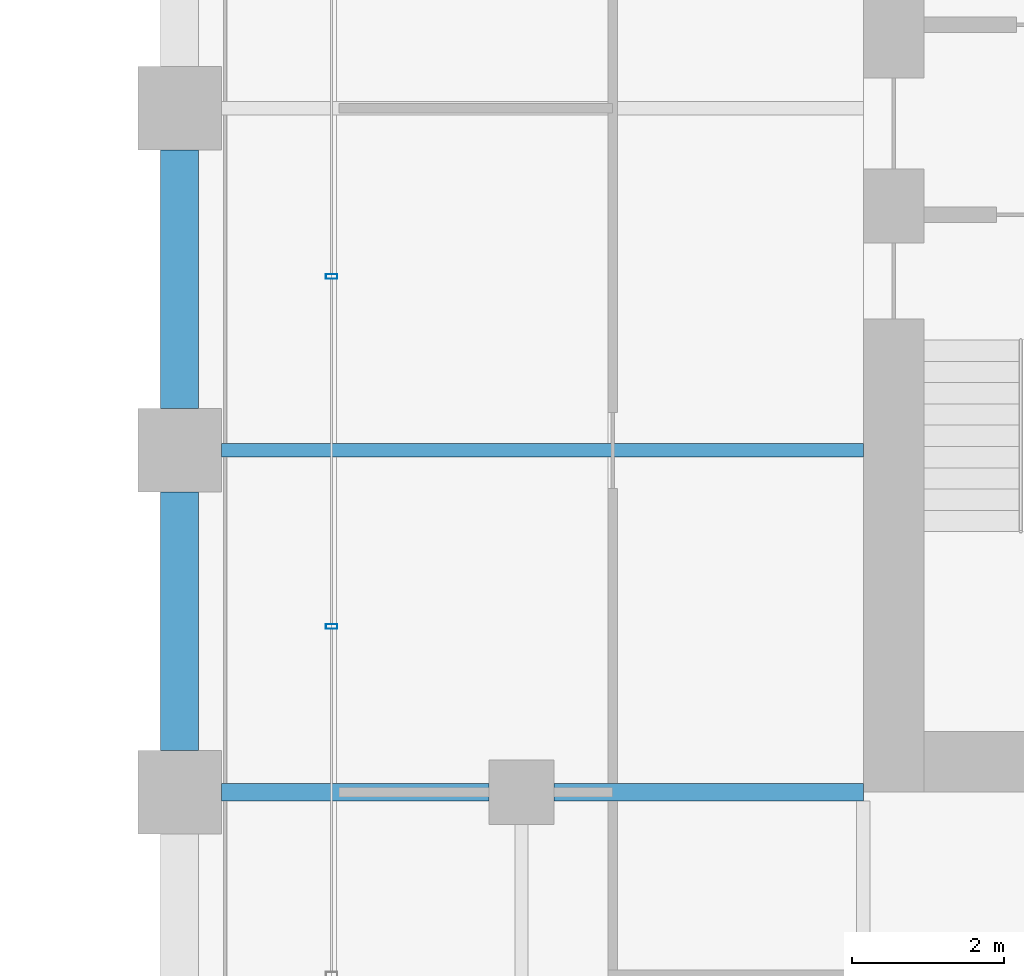
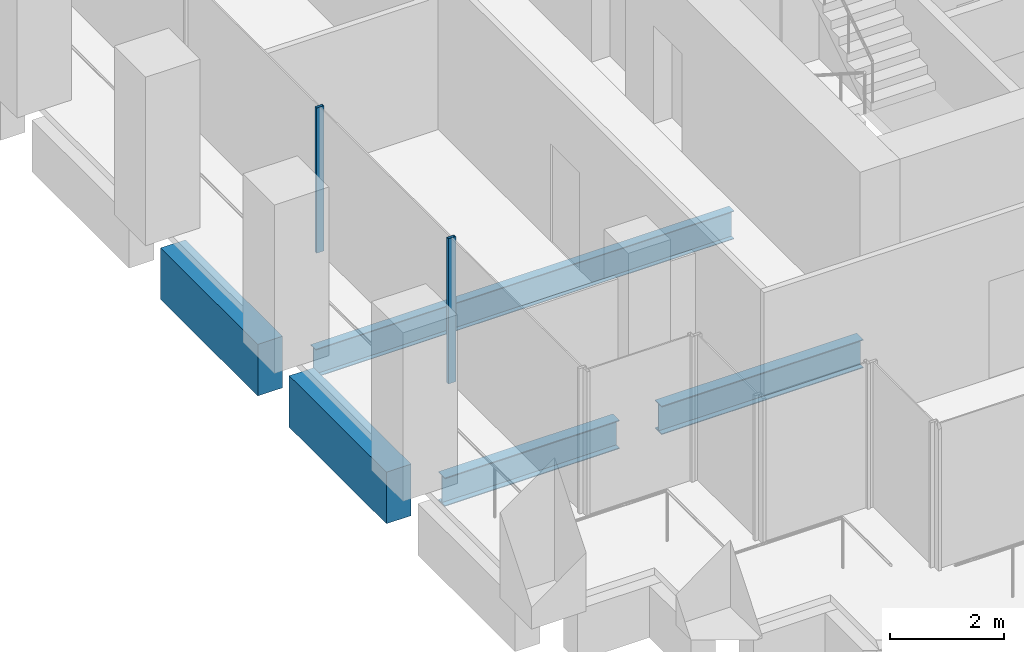
# One storey, part 36 of 56: 5 beams, 2 members, 1 element without a shape of its own.
"""IFC4 building model written with IfcOpenShell, lengths in metres."""

from ifc_helpers import new_model, si_unit, direction, frame, origin, origin_2d, place, context, subcontext, project, spatial, rectangle, hollow_rectangle, i_section, extrude, material, material_profile, profile_set, type_object, element, aggregate, save


model = new_model("IFC4")

# Units and contexts
model_context = context("Model", 3, precision=1e-05, world=origin(), true_north=direction((0.0, 1.0)))
body_context = subcontext(model_context, "Body", "Model", "MODEL_VIEW")
ifc_project = project(units=[si_unit("LENGTHUNIT", "METRE"), si_unit("AREAUNIT", "SQUARE_METRE"), si_unit("VOLUMEUNIT", "CUBIC_METRE"), si_unit("PLANEANGLEUNIT", "RADIAN"), si_unit("MASSUNIT", "GRAM", prefix="KILO")], contexts=[model_context])

# Site, building, storey
site_placement = place(None, origin())
site = spatial("IfcSite", under=ifc_project, at=site_placement, CompositionType="ELEMENT")
building_placement = place(site_placement, origin())
building = spatial("IfcBuilding", under=site, at=building_placement, Name="Altepetl Exchange Towers", CompositionType="ELEMENT")
storey_placement = place(building_placement, frame((0.0, 0.0, 79.800048828125)))
storey = spatial("IfcBuildingStorey", under=building, at=storey_placement, Name="L19", CompositionType="ELEMENT", Elevation=79.800048828125)

# Beams
ifc_material_1 = material(Name="Steel S355", Category="steel")
ifc_material_profile_1 = material_profile(ifc_material_1, i_section(OverallWidth=0.177978515625, OverallDepth=0.59912109375, WebThickness=0.010009765625, FlangeThickness=0.0126953125, at=origin_2d()), Name="W24X55")
ifc_profile_set_1 = profile_set([ifc_material_profile_1], Name="Steel S355")
beam_type_1 = type_object("IfcBeamType", Name="Floor beam W24X55", PredefinedType="BEAM", material=ifc_profile_set_1)
beam_1_placement = place(storey_placement, frame((95.050048828125, 40.5, -0.449462890625), z_axis=(1.0, 0.0, 0.0), x_axis=(0.0, 1.0, 0.0)))
element("IfcBeam", 1, at=beam_1_placement, inside=storey, type_object=beam_type_1, Name="bm:B:L19:012", PredefinedType="BEAM", context=body_context, shape_type="SweptSolid", body=[
    extrude(i_section(OverallWidth=0.177978515625, OverallDepth=0.59912109375, WebThickness=0.010009765625, FlangeThickness=0.0126953125, at=origin_2d()), origin(), (0.0, 0.0, 1.0), 8.449951171875),
])
ifc_material_profile_2 = material_profile(ifc_material_1, i_section(OverallWidth=0.22802734375, OverallDepth=0.60791015625, WebThickness=0.01123046875, FlangeThickness=0.017333984375, at=origin_2d()), Name="W24X76")
ifc_profile_set_2 = profile_set([ifc_material_profile_2], Name="Steel S355")
beam_type_2 = type_object("IfcBeamType", Name="Girder W24X76", PredefinedType="BEAM", material=ifc_profile_set_2)
beam_2_placement = place(storey_placement, frame((103.5, 36.0, -0.4541015625), z_axis=(-1.0, 0.0, 0.0), x_axis=(0.0, -1.0, 0.0)))
element("IfcBeam", 2, at=beam_2_placement, inside=storey, type_object=beam_type_2, Name="gd:B:L19:006", PredefinedType="BEAM", context=body_context, shape_type="SweptSolid", body=[
    extrude(i_section(OverallWidth=0.22802734375, OverallDepth=0.60791015625, WebThickness=0.01123046875, FlangeThickness=0.017333984375, at=origin_2d()), origin(), (0.0, 0.0, 1.0), 4.074951171875),
])
beam_3_placement = place(storey_placement, frame((98.574951171875, 36.0, -0.4541015625), z_axis=(-1.0, 0.0, 0.0), x_axis=(0.0, -1.0, 0.0)))
element("IfcBeam", 3, at=beam_3_placement, inside=storey, type_object=beam_type_2, Name="gd:B:L19:007", PredefinedType="BEAM", context=body_context, shape_type="SweptSolid", body=[
    extrude(i_section(OverallWidth=0.22802734375, OverallDepth=0.60791015625, WebThickness=0.01123046875, FlangeThickness=0.017333984375, at=origin_2d()), origin(), (0.0, 0.0, 1.0), 3.52490234375),
])

# Curtain wall, members
ifc_material_2 = material(Name="Aluminium 6063-T6 glazing", Category="aluminium")
curtain_wall_type = type_object("IfcCurtainWallType", Name="Loggia glazing system", PredefinedType="NOTDEFINED", material=ifc_material_2)
curtain_wall_placement = place(storey_placement, origin())
curtain_wall = element("IfcCurtainWall", 4, at=curtain_wall_placement, inside=storey, type_object=curtain_wall_type, Name="CW1 run", PredefinedType="NOTDEFINED")
ifc_material_3 = material(Name="Aluminium 6063-T6", Category="aluminium")
ifc_material_profile_3 = material_profile(ifc_material_3, hollow_rectangle(XDim=0.06005859375, YDim=0.14990234375, WallThickness=0.0029296875, at=origin_2d()), Name="Mullion 60x150 aluminium")
ifc_profile_set_3 = profile_set([ifc_material_profile_3], Name="Aluminium 6063-T6")
member_type = type_object("IfcMemberType", Name="Mullion 60x150 aluminium", PredefinedType="MULLION", material=ifc_profile_set_3)
member_1_placement = place(storey_placement, frame((96.5, 42.78759765625, 0.0), z_axis=(0.0, 0.0, 1.0), x_axis=(0.0, -1.0, 0.0)))
member_1 = element("IfcMember", 5, at=member_1_placement, type_object=member_type, Name="MU1 mullion", PredefinedType="MULLION", context=body_context, shape_type="SweptSolid", body=[
    extrude(hollow_rectangle(XDim=0.06005859375, YDim=0.14990234375, WallThickness=0.0029296875, at=origin_2d()), origin(), (0.0, 0.0, 1.0), 3.099853515625),
])
member_2_placement = place(storey_placement, frame((96.5, 38.18115234375, 0.0), z_axis=(0.0, 0.0, 1.0), x_axis=(0.0, -1.0, 0.0)))
member_2 = element("IfcMember", 6, at=member_2_placement, type_object=member_type, Name="MU1 mullion", PredefinedType="MULLION", context=body_context, shape_type="SweptSolid", body=[
    extrude(hollow_rectangle(XDim=0.06005859375, YDim=0.14990234375, WallThickness=0.0029296875, at=origin_2d()), origin(), (0.0, 0.0, 1.0), 3.099853515625),
])
aggregate(curtain_wall, [member_1, member_2])

# Beams
ifc_material_4 = material(Name="Concrete C50/60 precast with cantera rosa facing", Category="concrete")
ifc_material_profile_4 = material_profile(ifc_material_4, rectangle(XDim=0.5, YDim=1.10009765625, at=origin_2d()), Name="500 x 1100")
ifc_profile_set_4 = profile_set([ifc_material_profile_4], Name="Concrete C50/60 precast with cantera rosa facing")
beam_type_3 = type_object("IfcBeamType", Name="Spandrel beam 500x1100 cantera rosa", PredefinedType="SPANDREL", material=ifc_profile_set_4)
for number, where, z_axis, x_axis, name in (
    (7, (94.5, 44.449951171875, -0.699951171875), (0.0, -1.0, 0.0), (1.0, 0.0, 0.0), "sp:B:L19:029"),
    (8, (94.5, 39.949951171875, -0.699951171875), (0.0, -1.0, 0.0), (1.0, 0.0, 0.0), "sp:B:L19:030"),
):
    element("IfcBeam", number, at=place(storey_placement, frame(where, z_axis=z_axis, x_axis=x_axis)), inside=storey, type_object=beam_type_3, Name=name, PredefinedType="SPANDREL", context=body_context, shape_type="SweptSolid", body=[
        extrude(rectangle(XDim=0.5, YDim=1.10009765625, at=origin_2d()), origin(), (0.0, 0.0, 1.0), 3.39990234375),
    ])

save(model, "model.ifc")
